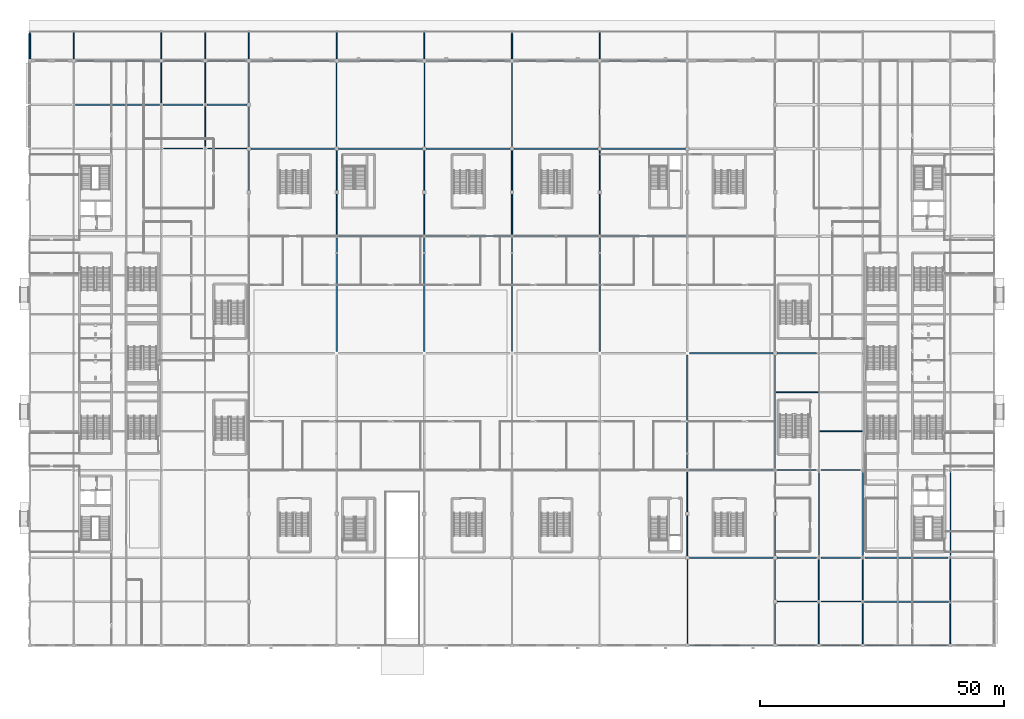
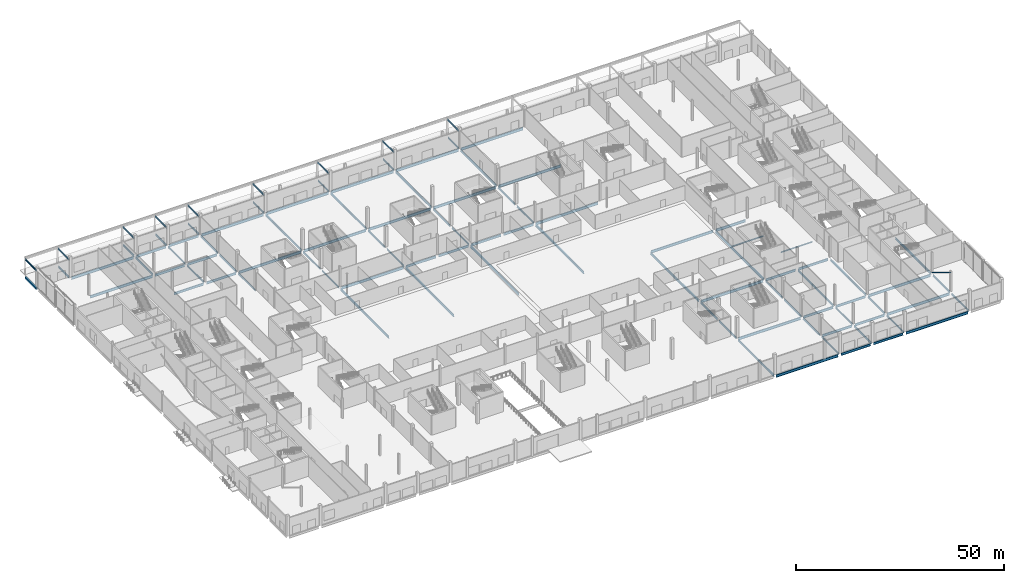
# One storey, part 23 of 84: 100 beams, 1 member.
"""IFC4 building model written with IfcOpenShell, lengths in metres."""

from ifc_helpers import new_model, si_unit, direction, frame, origin, origin_2d, place, context, subcontext, project, spatial, rectangle, hollow_circle, i_section, extrude, material, material_profile, profile_set, type_object, element, save


model = new_model("IFC4")

# Units and contexts
model_context = context("Model", 3, precision=1e-05, world=origin(), true_north=direction((0.0, 1.0)))
body_context = subcontext(model_context, "Body", "Model", "MODEL_VIEW")
ifc_project = project(units=[si_unit("LENGTHUNIT", "METRE"), si_unit("AREAUNIT", "SQUARE_METRE"), si_unit("VOLUMEUNIT", "CUBIC_METRE"), si_unit("PLANEANGLEUNIT", "RADIAN"), si_unit("MASSUNIT", "GRAM", prefix="KILO")], contexts=[model_context])

# Site, building, storey
site_placement = place(None, origin())
site = spatial("IfcSite", under=ifc_project, at=site_placement, CompositionType="ELEMENT")
building_placement = place(site_placement, origin())
building = spatial("IfcBuilding", under=site, at=building_placement, Name="Kisiwana Market Hall", CompositionType="ELEMENT")
storey_placement = place(building_placement, origin())
storey = spatial("IfcBuildingStorey", under=building, at=storey_placement, Name="L00", CompositionType="ELEMENT", Elevation=0.0)

# Beams
ifc_material_1 = material(Name="Steel S355", Category="steel")
ifc_material_profile_1 = material_profile(ifc_material_1, i_section(OverallWidth=0.19140625, OverallDepth=0.4599609375, WebThickness=0.010009765625, FlangeThickness=0.01611328125, at=origin_2d()), Name="UB 457x191x82")
ifc_profile_set_1 = profile_set([ifc_material_profile_1], Name="Steel S355")
beam_type_1 = type_object("IfcBeamType", Name="BM-GIRD-UB457H", PredefinedType="BEAM", material=ifc_profile_set_1)
for number, where, z_axis, x_axis, name in (
    (1, (0.0, 120.345947265625, 4.677978515625), (0.0, 1.0, 0.0), (-1.0, 0.0, 0.0), "Roof girder B-0312"),
    (2, (9.0, 120.345947265625, 4.677978515625), (0.0, 1.0, 0.0), (-1.0, 0.0, 0.0), "Roof girder B-0313"),
    (3, (27.0, 120.345947265625, 4.677978515625), (0.0, 1.0, 0.0), (-1.0, 0.0, 0.0), "Roof girder B-0314"),
    (4, (36.0, 120.345947265625, 4.677978515625), (0.0, 1.0, 0.0), (-1.0, 0.0, 0.0), "Roof girder B-0315"),
    (5, (45.0, 120.345947265625, 4.677978515625), (0.0, 1.0, 0.0), (-1.0, 0.0, 0.0), "Roof girder B-0316"),
    (6, (63.0, 120.345947265625, 4.677978515625), (0.0, 1.0, 0.0), (-1.0, 0.0, 0.0), "Roof girder B-0317"),
    (7, (81.0, 120.345947265625, 4.677978515625), (0.0, 1.0, 0.0), (-1.0, 0.0, 0.0), "Roof girder B-0318"),
    (8, (99.0, 120.345947265625, 4.677978515625), (0.0, 1.0, 0.0), (-1.0, 0.0, 0.0), "Roof girder B-0319"),
    (9, (117.0, 120.345947265625, 4.677978515625), (0.0, 1.0, 0.0), (-1.0, 0.0, 0.0), "Roof girder B-0320"),
):
    element("IfcBeam", number, at=place(storey_placement, frame(where, z_axis=z_axis, x_axis=x_axis)), inside=storey, type_object=beam_type_1, Name=name, PredefinedType="BEAM", context=body_context, shape_type="SweptSolid", body=[
        extrude(i_section(OverallWidth=0.19140625, OverallDepth=0.4599609375, WebThickness=0.010009765625, FlangeThickness=0.01611328125, at=origin_2d()), origin(), (0.0, 0.0, 1.0), 5.49609375),
    ])
ifc_material_2 = material(Name="Steel S355", Category="steel")
ifc_material_profile_2 = material_profile(ifc_material_2, i_section(OverallWidth=0.209228515625, OverallDepth=0.533203125, WebThickness=0.010009765625, FlangeThickness=0.015625, at=origin_2d()), Name="UB 533x210x92")
ifc_profile_set_2 = profile_set([ifc_material_profile_2], Name="Steel S355")
beam_type_2 = type_object("IfcBeamType", Name="BM-GIRD-UB533", PredefinedType="BEAM", material=ifc_profile_set_2)
beam_1_placement = place(storey_placement, frame((9.0, 120.39599609375, -0.524658203125), z_axis=(0.0, 1.0, 0.0), x_axis=(-1.0, 0.0, 0.0)))
element("IfcBeam", 10, at=beam_1_placement, inside=storey, type_object=beam_type_2, Name="Primary girder B-0013", PredefinedType="BEAM", context=body_context, shape_type="SweptSolid", body=[
    extrude(i_section(OverallWidth=0.209228515625, OverallDepth=0.533203125, WebThickness=0.010009765625, FlangeThickness=0.015625, at=origin_2d()), origin(), (0.0, 0.0, 1.0), 5.2080078125),
])
beam_2_placement = place(storey_placement, frame((27.0, 111.39599609375, -0.526611328125), z_axis=(0.0, 1.0, 0.0), x_axis=(-1.0, 0.0, 0.0)))
element("IfcBeam", 11, at=beam_2_placement, inside=storey, type_object=beam_type_2, Name="Primary girder B-0019", PredefinedType="BEAM", context=body_context, shape_type="SweptSolid", body=[
    extrude(i_section(OverallWidth=0.209228515625, OverallDepth=0.533203125, WebThickness=0.010009765625, FlangeThickness=0.015625, at=origin_2d()), origin(), (0.0, 0.0, 1.0), 8.2080078125),
])
beam_3_placement = place(storey_placement, frame((27.0, 120.39599609375, -0.524658203125), z_axis=(0.0, 1.0, 0.0), x_axis=(-1.0, 0.0, 0.0)))
element("IfcBeam", 12, at=beam_3_placement, inside=storey, type_object=beam_type_2, Name="Primary girder B-0020", PredefinedType="BEAM", context=body_context, shape_type="SweptSolid", body=[
    extrude(i_section(OverallWidth=0.209228515625, OverallDepth=0.533203125, WebThickness=0.010009765625, FlangeThickness=0.015625, at=origin_2d()), origin(), (0.0, 0.0, 1.0), 5.2080078125),
])
beam_4_placement = place(storey_placement, frame((36.0, 102.446044921875, -0.526611328125), z_axis=(0.0, 1.0, 0.0), x_axis=(-1.0, 0.0, 0.0)))
element("IfcBeam", 13, at=beam_4_placement, inside=storey, type_object=beam_type_2, Name="Primary girder B-0027", PredefinedType="BEAM", context=body_context, shape_type="SweptSolid", body=[
    extrude(i_section(OverallWidth=0.209228515625, OverallDepth=0.533203125, WebThickness=0.010009765625, FlangeThickness=0.015625, at=origin_2d()), origin(), (0.0, 0.0, 1.0), 8.157958984375),
])
beam_5_placement = place(storey_placement, frame((36.0, 111.39599609375, -0.526611328125), z_axis=(0.0, 1.0, 0.0), x_axis=(-1.0, 0.0, 0.0)))
element("IfcBeam", 14, at=beam_5_placement, inside=storey, type_object=beam_type_2, Name="Primary girder B-0028", PredefinedType="BEAM", context=body_context, shape_type="SweptSolid", body=[
    extrude(i_section(OverallWidth=0.209228515625, OverallDepth=0.533203125, WebThickness=0.010009765625, FlangeThickness=0.015625, at=origin_2d()), origin(), (0.0, 0.0, 1.0), 8.2080078125),
])
beam_6_placement = place(storey_placement, frame((36.0, 120.39599609375, -0.524658203125), z_axis=(0.0, 1.0, 0.0), x_axis=(-1.0, 0.0, 0.0)))
element("IfcBeam", 15, at=beam_6_placement, inside=storey, type_object=beam_type_2, Name="Primary girder B-0029", PredefinedType="BEAM", context=body_context, shape_type="SweptSolid", body=[
    extrude(i_section(OverallWidth=0.209228515625, OverallDepth=0.533203125, WebThickness=0.010009765625, FlangeThickness=0.015625, at=origin_2d()), origin(), (0.0, 0.0, 1.0), 5.2080078125),
])
for number, where, z_axis, x_axis, name in (
    (16, (45.0, 93.39599609375, -0.526611328125), (0.0, 1.0, 0.0), (-1.0, 0.0, 0.0), "Primary girder B-0035"),
    (17, (45.0, 102.39599609375, -0.526611328125), (0.0, 1.0, 0.0), (-1.0, 0.0, 0.0), "Primary girder B-0036"),
    (18, (45.0, 111.39599609375, -0.526611328125), (0.0, 1.0, 0.0), (-1.0, 0.0, 0.0), "Primary girder B-0037"),
):
    element("IfcBeam", number, at=place(storey_placement, frame(where, z_axis=z_axis, x_axis=x_axis)), inside=storey, type_object=beam_type_2, Name=name, PredefinedType="BEAM", context=body_context, shape_type="SweptSolid", body=[
        extrude(i_section(OverallWidth=0.209228515625, OverallDepth=0.533203125, WebThickness=0.010009765625, FlangeThickness=0.015625, at=origin_2d()), origin(), (0.0, 0.0, 1.0), 8.2080078125),
    ])
beam_7_placement = place(storey_placement, frame((45.0, 120.39599609375, -0.524658203125), z_axis=(0.0, 1.0, 0.0), x_axis=(-1.0, 0.0, 0.0)))
element("IfcBeam", 19, at=beam_7_placement, inside=storey, type_object=beam_type_2, Name="Primary girder B-0038", PredefinedType="BEAM", context=body_context, shape_type="SweptSolid", body=[
    extrude(i_section(OverallWidth=0.209228515625, OverallDepth=0.533203125, WebThickness=0.010009765625, FlangeThickness=0.015625, at=origin_2d()), origin(), (0.0, 0.0, 1.0), 5.2080078125),
])
for number, where, z_axis, x_axis, name in (
    (20, (63.0, 84.39599609375, -0.526611328125), (0.0, 1.0, 0.0), (-1.0, 0.0, 0.0), "Primary girder B-0044"),
    (21, (63.0, 93.39599609375, -0.526611328125), (0.0, 1.0, 0.0), (-1.0, 0.0, 0.0), "Primary girder B-0045"),
):
    element("IfcBeam", number, at=place(storey_placement, frame(where, z_axis=z_axis, x_axis=x_axis)), inside=storey, type_object=beam_type_2, Name=name, PredefinedType="BEAM", context=body_context, shape_type="SweptSolid", body=[
        extrude(i_section(OverallWidth=0.209228515625, OverallDepth=0.533203125, WebThickness=0.010009765625, FlangeThickness=0.015625, at=origin_2d()), origin(), (0.0, 0.0, 1.0), 8.2080078125),
    ])
beam_8_placement = place(storey_placement, frame((63.0, 120.39599609375, -0.524658203125), z_axis=(0.0, 1.0, 0.0), x_axis=(-1.0, 0.0, 0.0)))
element("IfcBeam", 22, at=beam_8_placement, inside=storey, type_object=beam_type_2, Name="Primary girder B-0047", PredefinedType="BEAM", context=body_context, shape_type="SweptSolid", body=[
    extrude(i_section(OverallWidth=0.209228515625, OverallDepth=0.533203125, WebThickness=0.010009765625, FlangeThickness=0.015625, at=origin_2d()), origin(), (0.0, 0.0, 1.0), 5.2080078125),
])
for number, where, z_axis, x_axis, name in (
    (23, (81.0, 84.39599609375, -0.526611328125), (0.0, 1.0, 0.0), (-1.0, 0.0, 0.0), "Primary girder B-0053"),
    (24, (81.0, 93.39599609375, -0.526611328125), (0.0, 1.0, 0.0), (-1.0, 0.0, 0.0), "Primary girder B-0054"),
):
    element("IfcBeam", number, at=place(storey_placement, frame(where, z_axis=z_axis, x_axis=x_axis)), inside=storey, type_object=beam_type_2, Name=name, PredefinedType="BEAM", context=body_context, shape_type="SweptSolid", body=[
        extrude(i_section(OverallWidth=0.209228515625, OverallDepth=0.533203125, WebThickness=0.010009765625, FlangeThickness=0.015625, at=origin_2d()), origin(), (0.0, 0.0, 1.0), 8.2080078125),
    ])
beam_9_placement = place(storey_placement, frame((81.0, 120.39599609375, -0.524658203125), z_axis=(0.0, 1.0, 0.0), x_axis=(-1.0, 0.0, 0.0)))
element("IfcBeam", 25, at=beam_9_placement, inside=storey, type_object=beam_type_2, Name="Primary girder B-0056", PredefinedType="BEAM", context=body_context, shape_type="SweptSolid", body=[
    extrude(i_section(OverallWidth=0.209228515625, OverallDepth=0.533203125, WebThickness=0.010009765625, FlangeThickness=0.015625, at=origin_2d()), origin(), (0.0, 0.0, 1.0), 5.2080078125),
])
for number, where, z_axis, x_axis, name in (
    (26, (99.0, 84.39599609375, -0.526611328125), (0.0, 1.0, 0.0), (-1.0, 0.0, 0.0), "Primary girder B-0062"),
    (27, (99.0, 93.39599609375, -0.526611328125), (0.0, 1.0, 0.0), (-1.0, 0.0, 0.0), "Primary girder B-0063"),
):
    element("IfcBeam", number, at=place(storey_placement, frame(where, z_axis=z_axis, x_axis=x_axis)), inside=storey, type_object=beam_type_2, Name=name, PredefinedType="BEAM", context=body_context, shape_type="SweptSolid", body=[
        extrude(i_section(OverallWidth=0.209228515625, OverallDepth=0.533203125, WebThickness=0.010009765625, FlangeThickness=0.015625, at=origin_2d()), origin(), (0.0, 0.0, 1.0), 8.2080078125),
    ])
beam_10_placement = place(storey_placement, frame((99.0, 120.39599609375, -0.524658203125), z_axis=(0.0, 1.0, 0.0), x_axis=(-1.0, 0.0, 0.0)))
element("IfcBeam", 28, at=beam_10_placement, inside=storey, type_object=beam_type_2, Name="Primary girder B-0065", PredefinedType="BEAM", context=body_context, shape_type="SweptSolid", body=[
    extrude(i_section(OverallWidth=0.209228515625, OverallDepth=0.533203125, WebThickness=0.010009765625, FlangeThickness=0.015625, at=origin_2d()), origin(), (0.0, 0.0, 1.0), 5.2080078125),
])
for number, where, z_axis, x_axis, name in (
    (29, (117.0, 84.39599609375, -0.526611328125), (0.0, 1.0, 0.0), (-1.0, 0.0, 0.0), "Primary girder B-0071"),
    (30, (117.0, 93.39599609375, -0.526611328125), (0.0, 1.0, 0.0), (-1.0, 0.0, 0.0), "Primary girder B-0072"),
):
    element("IfcBeam", number, at=place(storey_placement, frame(where, z_axis=z_axis, x_axis=x_axis)), inside=storey, type_object=beam_type_2, Name=name, PredefinedType="BEAM", context=body_context, shape_type="SweptSolid", body=[
        extrude(i_section(OverallWidth=0.209228515625, OverallDepth=0.533203125, WebThickness=0.010009765625, FlangeThickness=0.015625, at=origin_2d()), origin(), (0.0, 0.0, 1.0), 8.2080078125),
    ])
beam_11_placement = place(storey_placement, frame((117.0, 120.39599609375, -0.524658203125), z_axis=(0.0, 1.0, 0.0), x_axis=(-1.0, 0.0, 0.0)))
element("IfcBeam", 31, at=beam_11_placement, inside=storey, type_object=beam_type_2, Name="Primary girder B-0074", PredefinedType="BEAM", context=body_context, shape_type="SweptSolid", body=[
    extrude(i_section(OverallWidth=0.209228515625, OverallDepth=0.533203125, WebThickness=0.010009765625, FlangeThickness=0.015625, at=origin_2d()), origin(), (0.0, 0.0, 1.0), 5.2080078125),
])
for number, where, z_axis, x_axis, name in (
    (32, (135.0, 18.39599609375, -0.526611328125), (0.0, 1.0, 0.0), (-1.0, 0.0, 0.0), "Primary girder B-0076"),
    (33, (135.0, 27.39599609375, -0.526611328125), (0.0, 1.0, 0.0), (-1.0, 0.0, 0.0), "Primary girder B-0077"),
    (34, (153.0, 0.39599609375, -0.526611328125), (0.0, 1.0, 0.0), (-1.0, 0.0, 0.0), "Primary girder B-0084"),
    (35, (153.0, 9.39599609375, -0.526611328125), (0.0, 1.0, 0.0), (-1.0, 0.0, 0.0), "Primary girder B-0085"),
    (36, (153.0, 18.39599609375, -0.526611328125), (0.0, 1.0, 0.0), (-1.0, 0.0, 0.0), "Primary girder B-0086"),
    (37, (153.0, 27.39599609375, -0.526611328125), (0.0, 1.0, 0.0), (-1.0, 0.0, 0.0), "Primary girder B-0087"),
    (38, (162.0, 0.39599609375, -0.526611328125), (0.0, 1.0, 0.0), (-1.0, 0.0, 0.0), "Primary girder B-0094"),
):
    element("IfcBeam", number, at=place(storey_placement, frame(where, z_axis=z_axis, x_axis=x_axis)), inside=storey, type_object=beam_type_2, Name=name, PredefinedType="BEAM", context=body_context, shape_type="SweptSolid", body=[
        extrude(i_section(OverallWidth=0.209228515625, OverallDepth=0.533203125, WebThickness=0.010009765625, FlangeThickness=0.015625, at=origin_2d()), origin(), (0.0, 0.0, 1.0), 8.2080078125),
    ])
beam_12_placement = place(storey_placement, frame((162.0, 9.39599609375, -0.526611328125), z_axis=(0.0, 1.0, 0.0), x_axis=(-1.0, 0.0, 0.0)))
element("IfcBeam", 39, at=beam_12_placement, inside=storey, type_object=beam_type_2, Name="Primary girder B-0095", PredefinedType="BEAM", context=body_context, shape_type="SweptSolid", body=[
    extrude(i_section(OverallWidth=0.209228515625, OverallDepth=0.533203125, WebThickness=0.010009765625, FlangeThickness=0.015625, at=origin_2d()), origin(), (0.0, 0.0, 1.0), 8.157958984375),
])
beam_13_placement = place(storey_placement, frame((171.0, 0.39599609375, -0.526611328125), z_axis=(0.0, 1.0, 0.0), x_axis=(-1.0, 0.0, 0.0)))
element("IfcBeam", 40, at=beam_13_placement, inside=storey, type_object=beam_type_2, Name="Primary girder B-0103", PredefinedType="BEAM", context=body_context, shape_type="SweptSolid", body=[
    extrude(i_section(OverallWidth=0.209228515625, OverallDepth=0.533203125, WebThickness=0.010009765625, FlangeThickness=0.015625, at=origin_2d()), origin(), (0.0, 0.0, 1.0), 8.2080078125),
])
beam_14_placement = place(storey_placement, frame((171.0, 9.39599609375, -0.526611328125), z_axis=(0.0, 1.0, 0.0), x_axis=(-1.0, 0.0, 0.0)))
element("IfcBeam", 41, at=beam_14_placement, inside=storey, type_object=beam_type_2, Name="Primary girder B-0104", PredefinedType="BEAM", context=body_context, shape_type="SweptSolid", body=[
    extrude(i_section(OverallWidth=0.209228515625, OverallDepth=0.533203125, WebThickness=0.010009765625, FlangeThickness=0.015625, at=origin_2d()), origin(), (0.0, 0.0, 1.0), 8.157958984375),
])
beam_15_placement = place(storey_placement, frame((189.0, 0.39599609375, -0.526611328125), z_axis=(0.0, 1.0, 0.0), x_axis=(-1.0, 0.0, 0.0)))
element("IfcBeam", 42, at=beam_15_placement, inside=storey, type_object=beam_type_2, Name="Primary girder B-0110", PredefinedType="BEAM", context=body_context, shape_type="SweptSolid", body=[
    extrude(i_section(OverallWidth=0.209228515625, OverallDepth=0.533203125, WebThickness=0.010009765625, FlangeThickness=0.015625, at=origin_2d()), origin(), (0.0, 0.0, 1.0), 8.2080078125),
])
beam_16_placement = place(storey_placement, frame((189.0, 9.39599609375, -0.526611328125), z_axis=(0.0, 1.0, 0.0), x_axis=(-1.0, 0.0, 0.0)))
element("IfcBeam", 43, at=beam_16_placement, inside=storey, type_object=beam_type_2, Name="Primary girder B-0111", PredefinedType="BEAM", context=body_context, shape_type="SweptSolid", body=[
    extrude(i_section(OverallWidth=0.209228515625, OverallDepth=0.533203125, WebThickness=0.010009765625, FlangeThickness=0.015625, at=origin_2d()), origin(), (0.0, 0.0, 1.0), 8.157958984375),
])
ifc_material_3 = material(Name="Steel S355", Category="steel")
ifc_material_profile_3 = material_profile(ifc_material_3, i_section(OverallWidth=0.22900390625, OverallDepth=0.6123046875, WebThickness=0.011962890625, FlangeThickness=0.01953125, at=origin_2d()), Name="UB 610x229x125")
ifc_profile_set_3 = profile_set([ifc_material_profile_3], Name="Steel S355")
beam_type_3 = type_object("IfcBeamType", Name="BM-GIRD-UB610H", PredefinedType="BEAM", material=ifc_profile_set_3)
for number, where, z_axis, x_axis, name in (
    (44, (63.0, 102.39599609375, -0.566162109375), (0.0, 1.0, 0.0), (-1.0, 0.0, 0.0), "Primary girder B-0046"),
    (45, (81.0, 102.39599609375, -0.566162109375), (0.0, 1.0, 0.0), (-1.0, 0.0, 0.0), "Primary girder B-0055"),
    (46, (99.0, 102.39599609375, -0.566162109375), (0.0, 1.0, 0.0), (-1.0, 0.0, 0.0), "Primary girder B-0064"),
    (47, (117.0, 102.39599609375, -0.566162109375), (0.0, 1.0, 0.0), (-1.0, 0.0, 0.0), "Primary girder B-0073"),
    (48, (135.0, 0.39599609375, -0.566162109375), (0.0, 1.0, 0.0), (-1.0, 0.0, 0.0), "Primary girder B-0075"),
):
    element("IfcBeam", number, at=place(storey_placement, frame(where, z_axis=z_axis, x_axis=x_axis)), inside=storey, type_object=beam_type_3, Name=name, PredefinedType="BEAM", context=body_context, shape_type="SweptSolid", body=[
        extrude(i_section(OverallWidth=0.22900390625, OverallDepth=0.6123046875, WebThickness=0.011962890625, FlangeThickness=0.01953125, at=origin_2d()), origin(), (0.0, 0.0, 1.0), 17.2080078125),
    ])
for number, where, z_axis, x_axis, name in (
    (49, (162.0, 18.446044921875, -0.566162109375), (0.0, 1.0, 0.0), (-1.0, 0.0, 0.0), "Primary girder B-0096"),
    (50, (171.0, 18.446044921875, -0.566162109375), (0.0, 1.0, 0.0), (-1.0, 0.0, 0.0), "Primary girder B-0105"),
    (51, (189.0, 18.446044921875, -0.566162109375), (0.0, 1.0, 0.0), (-1.0, 0.0, 0.0), "Primary girder B-0112"),
):
    element("IfcBeam", number, at=place(storey_placement, frame(where, z_axis=z_axis, x_axis=x_axis)), inside=storey, type_object=beam_type_3, Name=name, PredefinedType="BEAM", context=body_context, shape_type="SweptSolid", body=[
        extrude(i_section(OverallWidth=0.22900390625, OverallDepth=0.6123046875, WebThickness=0.011962890625, FlangeThickness=0.01953125, at=origin_2d()), origin(), (0.0, 0.0, 1.0), 17.10791015625),
    ])
ifc_material_4 = material(Name="Steel S355", Category="steel")
ifc_material_profile_4 = material_profile(ifc_material_4, i_section(OverallWidth=0.253662109375, OverallDepth=0.68359375, WebThickness=0.012451171875, FlangeThickness=0.01904296875, at=origin_2d()), Name="UB 686x254x140")
ifc_profile_set_4 = profile_set([ifc_material_profile_4], Name="Steel S355")
beam_type_4 = type_object("IfcBeamType", Name="BM-GIRD-UB686", PredefinedType="BEAM", material=ifc_profile_set_4)
for number, where, z_axis, x_axis, name in (
    (52, (153.39599609375, 0.0, -0.601806640625), (1.0, 0.0, 0.0), (0.0, 1.0, 0.0), "Floor beam B-0157"),
    (53, (162.39599609375, 0.0, -0.601806640625), (1.0, 0.0, 0.0), (0.0, 1.0, 0.0), "Floor beam B-0158"),
    (54, (153.39599609375, 9.0, -0.601806640625), (1.0, 0.0, 0.0), (0.0, 1.0, 0.0), "Floor beam B-0165"),
    (55, (162.39599609375, 9.0, -0.601806640625), (1.0, 0.0, 0.0), (0.0, 1.0, 0.0), "Floor beam B-0166"),
):
    element("IfcBeam", number, at=place(storey_placement, frame(where, z_axis=z_axis, x_axis=x_axis)), inside=storey, type_object=beam_type_4, Name=name, PredefinedType="BEAM", context=body_context, shape_type="SweptSolid", body=[
        extrude(i_section(OverallWidth=0.253662109375, OverallDepth=0.68359375, WebThickness=0.012451171875, FlangeThickness=0.01904296875, at=origin_2d()), origin(), (0.0, 0.0, 1.0), 8.2080078125),
    ])
beam_17_placement = place(storey_placement, frame((153.39599609375, 18.0, -0.601806640625), z_axis=(1.0, 0.0, 0.0), x_axis=(0.0, 1.0, 0.0)))
element("IfcBeam", 56, at=beam_17_placement, inside=storey, type_object=beam_type_4, Name="Floor beam B-0179", PredefinedType="BEAM", context=body_context, shape_type="SweptSolid", body=[
    extrude(i_section(OverallWidth=0.253662109375, OverallDepth=0.68359375, WebThickness=0.012451171875, FlangeThickness=0.01904296875, at=origin_2d()), origin(), (0.0, 0.0, 1.0), 8.157958984375),
])
beam_18_placement = place(storey_placement, frame((162.446044921875, 18.0, -0.601806640625), z_axis=(1.0, 0.0, 0.0), x_axis=(0.0, 1.0, 0.0)))
element("IfcBeam", 57, at=beam_18_placement, inside=storey, type_object=beam_type_4, Name="Floor beam B-0180", PredefinedType="BEAM", context=body_context, shape_type="SweptSolid", body=[
    extrude(i_section(OverallWidth=0.253662109375, OverallDepth=0.68359375, WebThickness=0.012451171875, FlangeThickness=0.01904296875, at=origin_2d()), origin(), (0.0, 0.0, 1.0), 8.10791015625),
])
beam_19_placement = place(storey_placement, frame((153.39599609375, 36.0, -0.601806640625), z_axis=(1.0, 0.0, 0.0), x_axis=(0.0, 1.0, 0.0)))
element("IfcBeam", 58, at=beam_19_placement, inside=storey, type_object=beam_type_4, Name="Floor beam B-0195", PredefinedType="BEAM", context=body_context, shape_type="SweptSolid", body=[
    extrude(i_section(OverallWidth=0.253662109375, OverallDepth=0.68359375, WebThickness=0.012451171875, FlangeThickness=0.01904296875, at=origin_2d()), origin(), (0.0, 0.0, 1.0), 8.157958984375),
])
beam_20_placement = place(storey_placement, frame((162.446044921875, 36.0, -0.601806640625), z_axis=(1.0, 0.0, 0.0), x_axis=(0.0, 1.0, 0.0)))
element("IfcBeam", 59, at=beam_20_placement, inside=storey, type_object=beam_type_4, Name="Floor beam B-0196", PredefinedType="BEAM", context=body_context, shape_type="SweptSolid", body=[
    extrude(i_section(OverallWidth=0.253662109375, OverallDepth=0.68359375, WebThickness=0.012451171875, FlangeThickness=0.01904296875, at=origin_2d()), origin(), (0.0, 0.0, 1.0), 8.10791015625),
])
for number, where, z_axis, x_axis, name in (
    (60, (81.39599609375, 84.0, -0.601806640625), (1.0, 0.0, 0.0), (0.0, 1.0, 0.0), "Floor beam B-0213"),
    (61, (90.39599609375, 84.0, -0.601806640625), (1.0, 0.0, 0.0), (0.0, 1.0, 0.0), "Floor beam B-0214"),
    (62, (99.39599609375, 84.0, -0.601806640625), (1.0, 0.0, 0.0), (0.0, 1.0, 0.0), "Floor beam B-0215"),
    (63, (108.39599609375, 84.0, -0.601806640625), (1.0, 0.0, 0.0), (0.0, 1.0, 0.0), "Floor beam B-0216"),
):
    element("IfcBeam", number, at=place(storey_placement, frame(where, z_axis=z_axis, x_axis=x_axis)), inside=storey, type_object=beam_type_4, Name=name, PredefinedType="BEAM", context=body_context, shape_type="SweptSolid", body=[
        extrude(i_section(OverallWidth=0.253662109375, OverallDepth=0.68359375, WebThickness=0.012451171875, FlangeThickness=0.01904296875, at=origin_2d()), origin(), (0.0, 0.0, 1.0), 8.2080078125),
    ])
beam_21_placement = place(storey_placement, frame((27.446044921875, 102.0, -0.601806640625), z_axis=(1.0, 0.0, 0.0), x_axis=(0.0, 1.0, 0.0)))
element("IfcBeam", 64, at=beam_21_placement, inside=storey, type_object=beam_type_4, Name="Floor beam B-0225", PredefinedType="BEAM", context=body_context, shape_type="SweptSolid", body=[
    extrude(i_section(OverallWidth=0.253662109375, OverallDepth=0.68359375, WebThickness=0.012451171875, FlangeThickness=0.01904296875, at=origin_2d()), origin(), (0.0, 0.0, 1.0), 8.10791015625),
])
beam_22_placement = place(storey_placement, frame((36.446044921875, 102.0, -0.601806640625), z_axis=(1.0, 0.0, 0.0), x_axis=(0.0, 1.0, 0.0)))
element("IfcBeam", 65, at=beam_22_placement, inside=storey, type_object=beam_type_4, Name="Floor beam B-0226", PredefinedType="BEAM", context=body_context, shape_type="SweptSolid", body=[
    extrude(i_section(OverallWidth=0.253662109375, OverallDepth=0.68359375, WebThickness=0.012451171875, FlangeThickness=0.01904296875, at=origin_2d()), origin(), (0.0, 0.0, 1.0), 8.157958984375),
])
for number, where, z_axis, x_axis, name in (
    (66, (27.39599609375, 111.0, -0.601806640625), (1.0, 0.0, 0.0), (0.0, 1.0, 0.0), "Floor beam B-0239"),
    (67, (36.39599609375, 111.0, -0.601806640625), (1.0, 0.0, 0.0), (0.0, 1.0, 0.0), "Floor beam B-0240"),
    (68, (27.39599609375, 120.0, -0.601806640625), (1.0, 0.0, 0.0), (0.0, 1.0, 0.0), "Floor beam B-0247"),
    (69, (36.39599609375, 120.0, -0.601806640625), (1.0, 0.0, 0.0), (0.0, 1.0, 0.0), "Floor beam B-0248"),
):
    element("IfcBeam", number, at=place(storey_placement, frame(where, z_axis=z_axis, x_axis=x_axis)), inside=storey, type_object=beam_type_4, Name=name, PredefinedType="BEAM", context=body_context, shape_type="SweptSolid", body=[
        extrude(i_section(OverallWidth=0.253662109375, OverallDepth=0.68359375, WebThickness=0.012451171875, FlangeThickness=0.01904296875, at=origin_2d()), origin(), (0.0, 0.0, 1.0), 8.2080078125),
    ])
for number, where, z_axis, x_axis, name in (
    (70, (63.0, 60.39599609375, -0.601806640625), (0.0, 1.0, 0.0), (-1.0, 0.0, 0.0), "Primary girder B-0043"),
    (71, (81.0, 60.39599609375, -0.601806640625), (0.0, 1.0, 0.0), (-1.0, 0.0, 0.0), "Primary girder B-0052"),
    (72, (99.0, 60.39599609375, -0.601806640625), (0.0, 1.0, 0.0), (-1.0, 0.0, 0.0), "Primary girder B-0061"),
    (73, (117.0, 60.39599609375, -0.601806640625), (0.0, 1.0, 0.0), (-1.0, 0.0, 0.0), "Primary girder B-0070"),
    (74, (135.0, 36.39599609375, -0.601806640625), (0.0, 1.0, 0.0), (-1.0, 0.0, 0.0), "Primary girder B-0078"),
    (75, (153.0, 36.39599609375, -0.601806640625), (0.0, 1.0, 0.0), (-1.0, 0.0, 0.0), "Primary girder B-0088"),
):
    element("IfcBeam", number, at=place(storey_placement, frame(where, z_axis=z_axis, x_axis=x_axis)), inside=storey, type_object=beam_type_4, Name=name, PredefinedType="BEAM", context=body_context, shape_type="SweptSolid", body=[
        extrude(i_section(OverallWidth=0.253662109375, OverallDepth=0.68359375, WebThickness=0.012451171875, FlangeThickness=0.01904296875, at=origin_2d()), origin(), (0.0, 0.0, 1.0), 23.2080078125),
    ])
ifc_material_5 = material(Name="Steel S355", Category="steel")
ifc_material_profile_5 = material_profile(ifc_material_5, i_section(OverallWidth=0.2666015625, OverallDepth=0.76220703125, WebThickness=0.014404296875, FlangeThickness=0.021484375, at=origin_2d()), Name="UB 762x267x173")
ifc_profile_set_5 = profile_set([ifc_material_profile_5], Name="Steel S355")
beam_type_5 = type_object("IfcBeamType", Name="BM-GIRD-UB762", PredefinedType="BEAM", material=ifc_profile_set_5)
for number, where, z_axis, x_axis, name in (
    (76, (135.39599609375, 0.0, -0.64111328125), (1.0, 0.0, 0.0), (0.0, 1.0, 0.0), "Floor beam B-0156"),
    (77, (171.39599609375, 0.0, -0.64111328125), (1.0, 0.0, 0.0), (0.0, 1.0, 0.0), "Floor beam B-0159"),
    (78, (171.39599609375, 9.0, -0.64111328125), (1.0, 0.0, 0.0), (0.0, 1.0, 0.0), "Floor beam B-0167"),
    (79, (135.39599609375, 18.0, -0.64111328125), (1.0, 0.0, 0.0), (0.0, 1.0, 0.0), "Floor beam B-0178"),
):
    element("IfcBeam", number, at=place(storey_placement, frame(where, z_axis=z_axis, x_axis=x_axis)), inside=storey, type_object=beam_type_5, Name=name, PredefinedType="BEAM", context=body_context, shape_type="SweptSolid", body=[
        extrude(i_section(OverallWidth=0.2666015625, OverallDepth=0.76220703125, WebThickness=0.014404296875, FlangeThickness=0.021484375, at=origin_2d()), origin(), (0.0, 0.0, 1.0), 17.2080078125),
    ])
beam_23_placement = place(storey_placement, frame((171.446044921875, 18.0, -0.64111328125), z_axis=(1.0, 0.0, 0.0), x_axis=(0.0, 1.0, 0.0)))
element("IfcBeam", 80, at=beam_23_placement, inside=storey, type_object=beam_type_5, Name="Floor beam B-0181", PredefinedType="BEAM", context=body_context, shape_type="SweptSolid", body=[
    extrude(i_section(OverallWidth=0.2666015625, OverallDepth=0.76220703125, WebThickness=0.014404296875, FlangeThickness=0.021484375, at=origin_2d()), origin(), (0.0, 0.0, 1.0), 17.10791015625),
])
for number, where, z_axis, x_axis, name in (
    (81, (135.39599609375, 36.0, -0.64111328125), (1.0, 0.0, 0.0), (0.0, 1.0, 0.0), "Floor beam B-0194"),
    (82, (135.39599609375, 60.0, -0.64111328125), (1.0, 0.0, 0.0), (0.0, 1.0, 0.0), "Floor beam B-0205"),
):
    element("IfcBeam", number, at=place(storey_placement, frame(where, z_axis=z_axis, x_axis=x_axis)), inside=storey, type_object=beam_type_5, Name=name, PredefinedType="BEAM", context=body_context, shape_type="SweptSolid", body=[
        extrude(i_section(OverallWidth=0.2666015625, OverallDepth=0.76220703125, WebThickness=0.014404296875, FlangeThickness=0.021484375, at=origin_2d()), origin(), (0.0, 0.0, 1.0), 17.2080078125),
    ])
beam_24_placement = place(storey_placement, frame((153.39599609375, 60.0, -0.64111328125), z_axis=(1.0, 0.0, 0.0), x_axis=(0.0, 1.0, 0.0)))
element("IfcBeam", 83, at=beam_24_placement, inside=storey, type_object=beam_type_5, Name="Floor beam B-0206", PredefinedType="BEAM", context=body_context, shape_type="SweptSolid", body=[
    extrude(i_section(OverallWidth=0.2666015625, OverallDepth=0.76220703125, WebThickness=0.014404296875, FlangeThickness=0.021484375, at=origin_2d()), origin(), (0.0, 0.0, 1.0), 8.157958984375),
])
for number, where, z_axis, x_axis, name in (
    (84, (63.39599609375, 84.0, -0.64111328125), (1.0, 0.0, 0.0), (0.0, 1.0, 0.0), "Floor beam B-0212"),
    (85, (117.39599609375, 84.0, -0.64111328125), (1.0, 0.0, 0.0), (0.0, 1.0, 0.0), "Floor beam B-0217"),
    (86, (45.39599609375, 102.0, -0.64111328125), (1.0, 0.0, 0.0), (0.0, 1.0, 0.0), "Floor beam B-0227"),
    (87, (63.39599609375, 102.0, -0.64111328125), (1.0, 0.0, 0.0), (0.0, 1.0, 0.0), "Floor beam B-0228"),
    (88, (81.39599609375, 102.0, -0.64111328125), (1.0, 0.0, 0.0), (0.0, 1.0, 0.0), "Floor beam B-0229"),
    (89, (99.39599609375, 102.0, -0.64111328125), (1.0, 0.0, 0.0), (0.0, 1.0, 0.0), "Floor beam B-0230"),
    (90, (117.39599609375, 102.0, -0.64111328125), (1.0, 0.0, 0.0), (0.0, 1.0, 0.0), "Floor beam B-0231"),
    (91, (9.39599609375, 111.0, -0.64111328125), (1.0, 0.0, 0.0), (0.0, 1.0, 0.0), "Floor beam B-0238"),
    (92, (9.39599609375, 120.0, -0.64111328125), (1.0, 0.0, 0.0), (0.0, 1.0, 0.0), "Floor beam B-0246"),
    (93, (45.39599609375, 120.0, -0.64111328125), (1.0, 0.0, 0.0), (0.0, 1.0, 0.0), "Floor beam B-0249"),
    (94, (63.39599609375, 120.0, -0.64111328125), (1.0, 0.0, 0.0), (0.0, 1.0, 0.0), "Floor beam B-0250"),
    (95, (81.39599609375, 120.0, -0.64111328125), (1.0, 0.0, 0.0), (0.0, 1.0, 0.0), "Floor beam B-0251"),
    (96, (99.39599609375, 120.0, -0.64111328125), (1.0, 0.0, 0.0), (0.0, 1.0, 0.0), "Floor beam B-0252"),
    (97, (117.39599609375, 120.0, -0.64111328125), (1.0, 0.0, 0.0), (0.0, 1.0, 0.0), "Floor beam B-0253"),
):
    element("IfcBeam", number, at=place(storey_placement, frame(where, z_axis=z_axis, x_axis=x_axis)), inside=storey, type_object=beam_type_5, Name=name, PredefinedType="BEAM", context=body_context, shape_type="SweptSolid", body=[
        extrude(i_section(OverallWidth=0.2666015625, OverallDepth=0.76220703125, WebThickness=0.014404296875, FlangeThickness=0.021484375, at=origin_2d()), origin(), (0.0, 0.0, 1.0), 17.2080078125),
    ])
ifc_material_6 = material(Name="Steel S355", Category="steel")
ifc_material_profile_6 = material_profile(ifc_material_6, i_section(OverallWidth=0.17138671875, OverallDepth=0.35498046875, WebThickness=0.00732421875, FlangeThickness=0.011474609375, at=origin_2d()), Name="UB 356x171x51")
ifc_profile_set_6 = profile_set([ifc_material_profile_6], Name="Steel S355")
beam_type_6 = type_object("IfcBeamType", Name="BM-JOIST-UB356", PredefinedType="JOIST", material=ifc_profile_set_6)
for number, where, z_axis, x_axis, name in (
    (98, (162.125732421875, 44.0, -0.4375), (1.0, 0.0, 0.0), (0.0, 1.0, 0.0), "Secondary floor joist B-0122"),
    (99, (153.125732421875, 52.0, -0.4375), (1.0, 0.0, 0.0), (0.0, 1.0, 0.0), "Secondary floor joist B-0129"),
):
    element("IfcBeam", number, at=place(storey_placement, frame(where, z_axis=z_axis, x_axis=x_axis)), inside=storey, type_object=beam_type_6, Name=name, PredefinedType="JOIST", context=body_context, shape_type="SweptSolid", body=[
        extrude(i_section(OverallWidth=0.17138671875, OverallDepth=0.35498046875, WebThickness=0.00732421875, FlangeThickness=0.011474609375, at=origin_2d()), origin(), (0.0, 0.0, 1.0), 8.74853515625),
    ])
ifc_material_7 = material(Name="Concrete C40/50", Category="concrete")
ifc_material_profile_7 = material_profile(ifc_material_7, rectangle(XDim=0.39990234375, YDim=0.64990234375, at=origin_2d()), Name="RC 400x650")
ifc_profile_set_7 = profile_set([ifc_material_profile_7], Name="Concrete C40/50")
beam_type_7 = type_object("IfcBeamType", Name="BM-RC-L00-400x650", PredefinedType="BEAM", material=ifc_profile_set_7)
beam_25_placement = place(storey_placement, frame((0.0, 120.39599609375, -0.5830078125), z_axis=(0.0, 1.0, 0.0), x_axis=(-1.0, 0.0, 0.0)))
element("IfcBeam", 100, at=beam_25_placement, inside=storey, type_object=beam_type_7, Name="Floor beam B-0281", PredefinedType="BEAM", context=body_context, shape_type="SweptSolid", body=[
    extrude(rectangle(XDim=0.39990234375, YDim=0.64990234375, at=origin_2d()), origin(), (0.0, 0.0, 1.0), 5.2080078125),
])

# Member
ifc_material_8 = material(Name="Steel S355", Category="steel")
ifc_material_profile_8 = material_profile(ifc_material_8, hollow_circle(Radius=0.136474609375, WallThickness=0.012451171875, at=origin_2d()), Name="CHS 273.0x12.5")
ifc_profile_set_8 = profile_set([ifc_material_profile_8], Name="Steel S355")
member_type = type_object("IfcMemberType", Name="MB-CBF-CHS273", PredefinedType="BRACE", material=ifc_profile_set_8)
member_placement = place(storey_placement, frame((189.0, 18.0, 0.0), z_axis=(0.0, -0.85539132019, 0.51798232532), x_axis=(1.0, 0.0, 0.0)))
element("IfcMember", 101, at=member_placement, inside=storey, type_object=member_type, Name="CBF-E-N diagonal brace (L00) M-0010", PredefinedType="BRACE", context=body_context, shape_type="SweptSolid", body=[
    extrude(hollow_circle(Radius=0.136474609375, WallThickness=0.012451171875, at=origin_2d()), origin(), (0.0, 0.0, 1.0), 10.521484375),
])

save(model, "model.ifc")
